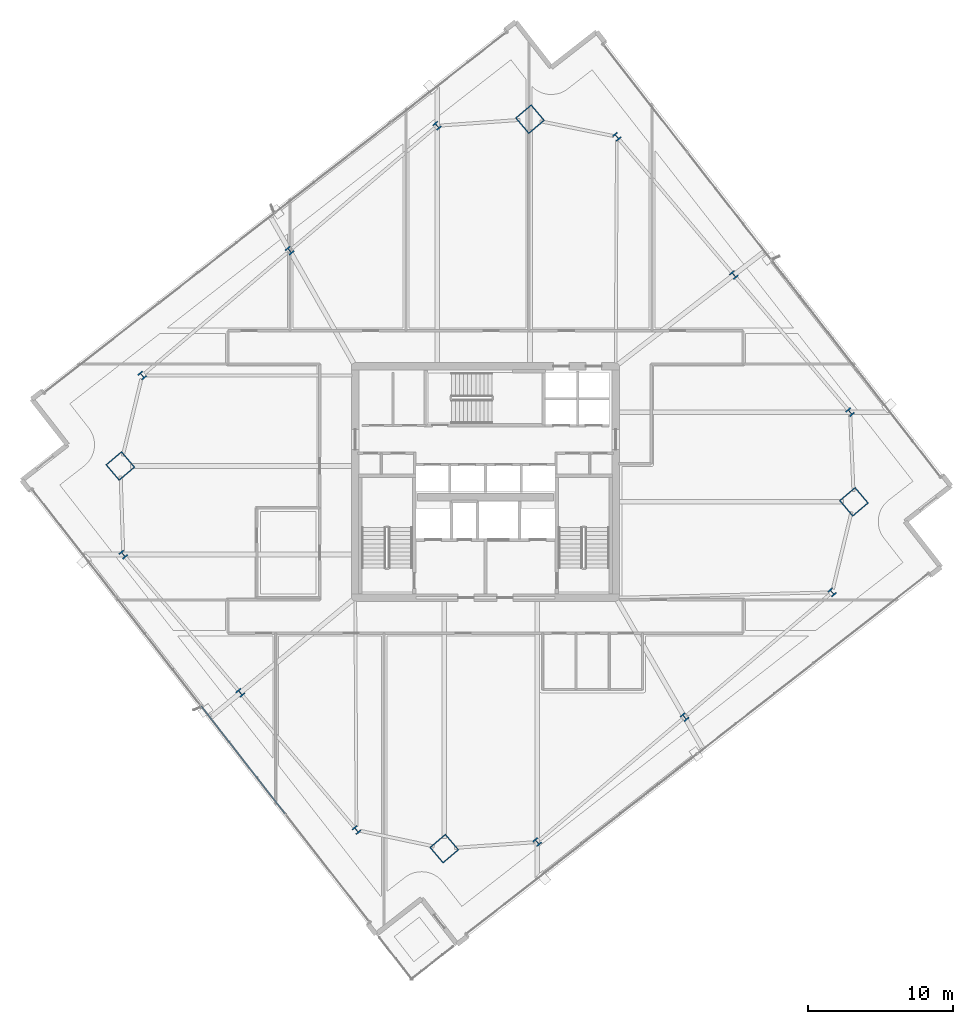
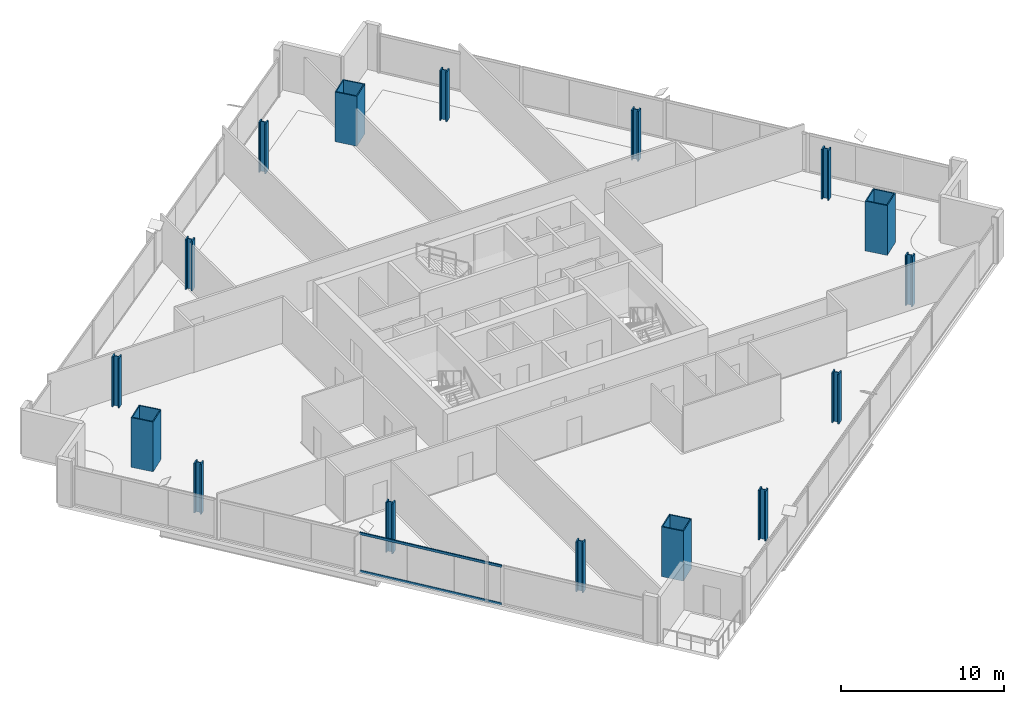
# One storey, part 1 of 32: 16 columns, 2 members, 1 element without a shape of its own.
"""IFC4 building model written with IfcOpenShell, lengths in metres."""

from ifc_helpers import new_model, si_unit, direction, frame, origin, origin_2d, place, context, subcontext, project, spatial, hollow_rectangle, i_section, extrude, material, material_profile, profile_set, type_object, element, aggregate, save


model = new_model("IFC4")

# Units and contexts
model_context = context("Model", 3, precision=1e-05, world=origin(), true_north=direction((0.0, 1.0)))
body_context = subcontext(model_context, "Body", "Model", "MODEL_VIEW")
ifc_project = project(units=[si_unit("LENGTHUNIT", "METRE"), si_unit("AREAUNIT", "SQUARE_METRE"), si_unit("VOLUMEUNIT", "CUBIC_METRE"), si_unit("PLANEANGLEUNIT", "RADIAN"), si_unit("MASSUNIT", "GRAM", prefix="KILO")], contexts=[model_context])

# Site, building, storey
site_placement = place(None, origin())
site = spatial("IfcSite", under=ifc_project, at=site_placement, CompositionType="ELEMENT")
building_placement = place(site_placement, origin())
building = spatial("IfcBuilding", under=site, at=building_placement, Name="Haldenkirk Collegiate Tower", CompositionType="ELEMENT")
storey_placement = place(building_placement, frame((0.0, 0.0, 155.699951171875)))
storey = spatial("IfcBuildingStorey", under=building, at=storey_placement, Name="L38", CompositionType="ELEMENT", Elevation=155.699951171875)

# Columns
ifc_material_1 = material(Name="Steel ASTM A913 Grade 65", Category="steel")
ifc_material_profile_1 = material_profile(ifc_material_1, i_section(OverallWidth=0.431884765625, OverallDepth=0.498046875, WebThickness=0.0556640625, FlangeThickness=0.0888671875, at=origin_2d()), Name="W14X500")
ifc_profile_set_1 = profile_set([ifc_material_profile_1], Name="Steel ASTM A913 Grade 65")
column_type_1 = type_object("IfcColumnType", Name="COL-INT-W14X500", PredefinedType="COLUMN", material=ifc_profile_set_1)
for number, where, z_axis, x_axis, name in (
    (1, (39.568603515625, 1.113525390625, 0.0), (0.0, 0.0, 1.0), (0.763232469783, 0.646123979643, 0.0), "L38 perimeter gravity column PC-S1"),
    (2, (49.762451171875, 9.7431640625, 0.0), (0.0, 0.0, 1.0), (0.763232469783, 0.646123979643, 0.0), "L38 perimeter gravity column PC-S2"),
    (3, (59.956298828125, 18.372802734375, 0.0), (0.0, 0.0, 1.0), (0.763232469783, 0.646123979643, 0.0), "L38 perimeter gravity column PC-S3"),
    (4, (61.199462890625, 30.82421875, 0.0), (0.0, 0.0, 1.0), (0.763232469783, 0.646123979643, 0.0), "L38 perimeter gravity column PC-E1"),
    (5, (53.17138671875, 40.307373046875, 0.0), (0.0, 0.0, 1.0), (0.763232469783, 0.646123979643, 0.0), "L38 perimeter gravity column PC-E2"),
    (6, (45.079833984375, 49.865234375, 0.0), (0.0, 0.0, 1.0), (0.763232469783, 0.646123979643, 0.0), "L38 perimeter gravity column PC-E3"),
    (7, (32.657470703125, 50.619384765625, 0.0), (0.0, 0.0, 1.0), (0.763232469783, 0.646123979643, 0.0), "L38 perimeter gravity column PC-N1"),
    (8, (22.463623046875, 41.98974609375, 0.0), (0.0, 0.0, 1.0), (0.763232469783, 0.646123979643, 0.0), "L38 perimeter gravity column PC-N2"),
    (9, (12.27001953125, 33.360107421875, 0.0), (0.0, 0.0, 1.0), (0.763232469783, 0.646123979643, 0.0), "L38 perimeter gravity column PC-N3"),
    (10, (10.96337890625, 20.9833984375, 0.0), (0.0, 0.0, 1.0), (0.763232469783, 0.646123979643, 0.0), "L38 perimeter gravity column PC-W1"),
    (11, (19.0546875, 11.425537109375, 0.0), (0.0, 0.0, 1.0), (0.763232469783, 0.646123979643, 0.0), "L38 perimeter gravity column PC-W2"),
    (12, (27.0830078125, 1.9423828125, 0.0), (0.0, 0.0, 1.0), (0.763232469783, 0.646123979643, 0.0), "L38 perimeter gravity column PC-W3"),
):
    element("IfcColumn", number, at=place(storey_placement, frame(where, z_axis=z_axis, x_axis=x_axis)), inside=storey, type_object=column_type_1, Name=name, PredefinedType="COLUMN", context=body_context, shape_type="SweptSolid", body=[
        extrude(i_section(OverallWidth=0.431884765625, OverallDepth=0.498046875, WebThickness=0.0556640625, FlangeThickness=0.0888671875, at=origin_2d()), origin(), (0.0, 0.0, 1.0), 3.75),
    ])
ifc_material_2 = material(Name="Steel ASTM A572 Grade 50", Category="steel")
ifc_material_profile_2 = material_profile(ifc_material_2, hollow_rectangle(XDim=1.449951171875, YDim=1.449951171875, WallThickness=0.070068359375, at=origin_2d()), Name="BOX1450X1450X70")
ifc_profile_set_2 = profile_set([ifc_material_profile_2], Name="Steel ASTM A572 Grade 50")
column_type_2 = type_object("IfcColumnType", Name="COL-MEGA-BOX1450X1450X70", PredefinedType="COLUMN", material=ifc_profile_set_2)
for number, where, z_axis, x_axis, name in (
    (13, (33.149169921875, 0.65771484375, 0.0), (0.0, 0.0, 1.0), (0.763232469783, 0.646123979643, 0.0), "L38 corner mega-column MC1"),
    (14, (61.465087890625, 24.62890625, 0.0), (0.0, 0.0, 1.0), (0.763232469783, 0.646123979643, 0.0), "L38 corner mega-column MC2"),
    (15, (39.076904296875, 51.074951171875, 0.0), (0.0, 0.0, 1.0), (0.763232469783, 0.646123979643, 0.0), "L38 corner mega-column MC3"),
    (16, (10.760986328125, 27.103759765625, 0.0), (0.0, 0.0, 1.0), (0.763232469783, 0.646123979643, 0.0), "L38 corner mega-column MC4"),
):
    element("IfcColumn", number, at=place(storey_placement, frame(where, z_axis=z_axis, x_axis=x_axis)), inside=storey, type_object=column_type_2, Name=name, PredefinedType="COLUMN", context=body_context, shape_type="SweptSolid", body=[
        extrude(hollow_rectangle(XDim=1.449951171875, YDim=1.449951171875, WallThickness=0.070068359375, at=origin_2d()), origin(), (0.0, 0.0, 1.0), 3.75),
    ])

# Curtain wall, members
ifc_material_3 = material(Name="Anodised architectural bronze aluminium", Category="aluminium")
curtain_wall_type = type_object("IfcCurtainWallType", Name="CW-SYS1-CONVEX-LOW", PredefinedType="USERDEFINED", material=ifc_material_3)
curtain_wall_placement = place(storey_placement, origin())
curtain_wall = element("IfcCurtainWall", 17, at=curtain_wall_placement, inside=storey, type_object=curtain_wall_type, Name="L38 Lower tower convex bronze-framed unitised curtain wall", ObjectType="UNITISED CURTAIN WALL", PredefinedType="USERDEFINED")
ifc_material_profile_3 = material_profile(ifc_material_3, hollow_rectangle(XDim=0.080078125, YDim=0.179931640625, WallThickness=0.0048828125, at=origin_2d()), Name="CW-TRN-1A")
ifc_profile_set_3 = profile_set([ifc_material_profile_3], Name="Anodised architectural bronze aluminium")
member_type = type_object("IfcMemberType", Name="CW-TRN-1A", PredefinedType="USERDEFINED", material=ifc_profile_set_3)
member_1_placement = place(storey_placement, frame((22.149658203125, 3.074951171875, 0.0400390625), z_axis=(-0.614975398226, 0.788546295138, 0.0), x_axis=(-0.788546295138, -0.614975398226, 0.0)))
member_1 = element("IfcMember", 18, at=member_1_placement, type_object=member_type, Name="CW-1A transom 2.1", ObjectType="TRANSOM", PredefinedType="USERDEFINED", context=body_context, shape_type="SweptSolid", body=[
    extrude(hollow_rectangle(XDim=0.080078125, YDim=0.179931640625, WallThickness=0.0048828125, at=origin_2d()), origin(), (0.0, 0.0, 1.0), 9.419921875),
])
member_2_placement = place(storey_placement, frame((22.149658203125, 3.074951171875, 2.87109375), z_axis=(-0.614975398226, 0.788546295138, 0.0), x_axis=(-0.788546295138, -0.614975398226, 0.0)))
member_2 = element("IfcMember", 19, at=member_2_placement, type_object=member_type, Name="CW-1A transom 2.2", ObjectType="TRANSOM", PredefinedType="USERDEFINED", context=body_context, shape_type="SweptSolid", body=[
    extrude(hollow_rectangle(XDim=0.080078125, YDim=0.179931640625, WallThickness=0.0048828125, at=origin_2d()), origin(), (0.0, 0.0, 1.0), 9.419921875),
])
aggregate(curtain_wall, [member_1, member_2])

save(model, "model.ifc")
